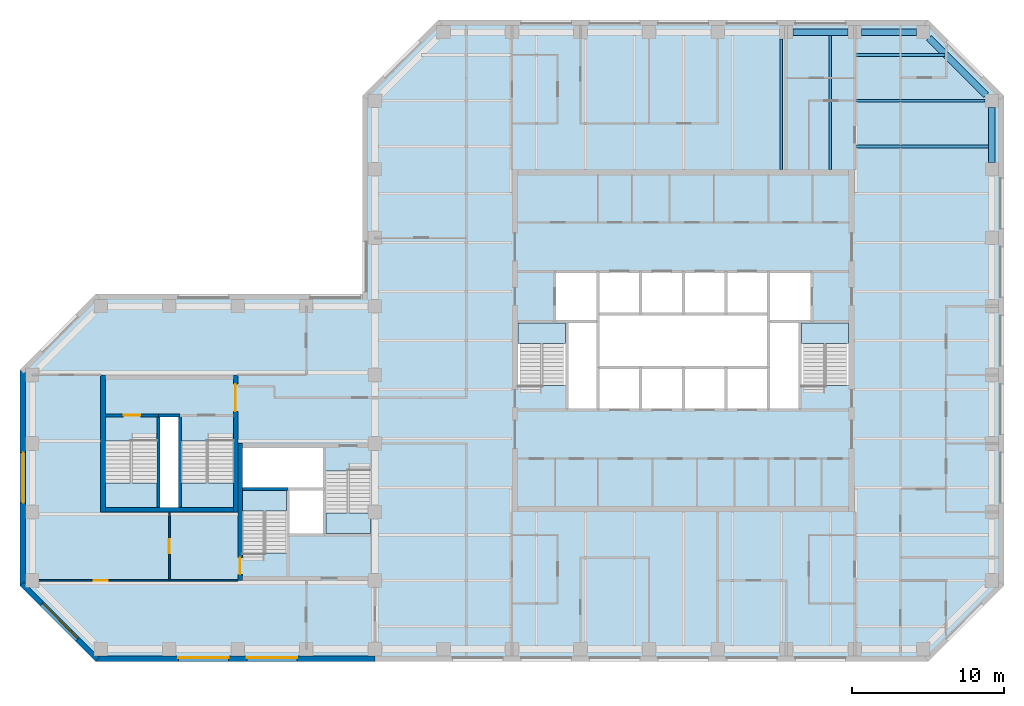
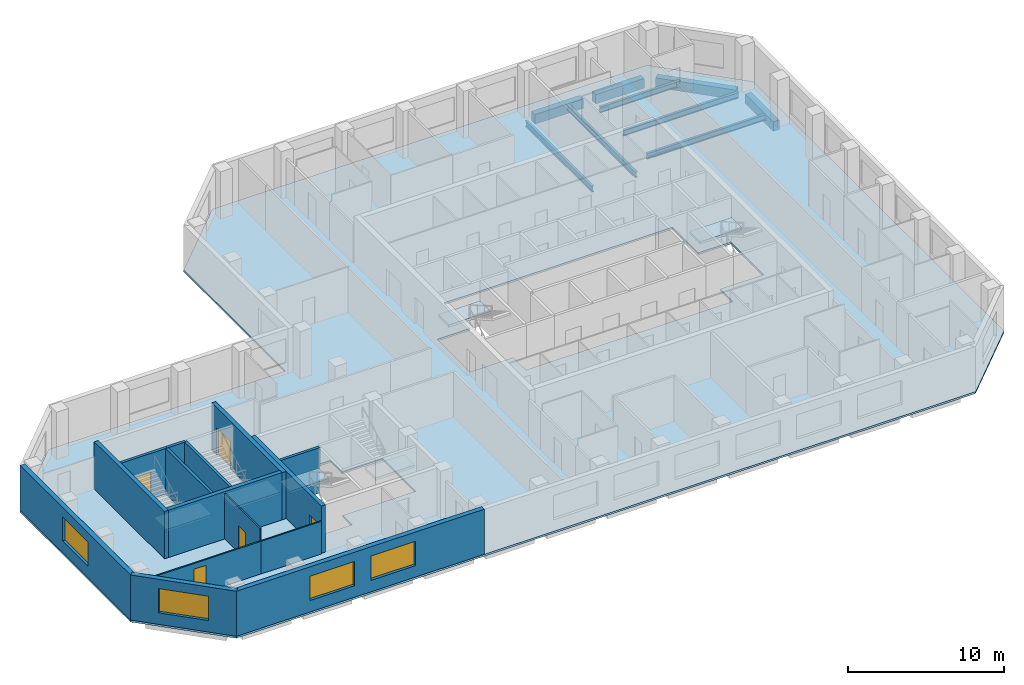
# One storey, part 2 of 9: 15 walls, 9 beams, 7 slabs, 5 doors, 4 windows, 9 openings, 6 elements without a shape of their own.
"""IFC4 building model written with IfcOpenShell, lengths in metres."""

from ifc_helpers import new_model, si_unit, direction, frame, frame_2d, origin, origin_2d, place, context, subcontext, project, spatial, polyline, rectangle, i_section, outline, extrude, material, layer, layer_set, constituent, constituent_set, material_profile, profile_set, type_object, element, fill, aggregate, save


model = new_model("IFC4")

# Units and contexts
model_context = context("Model", 3, precision=1e-05, world=origin(), true_north=direction((0.0, 1.0)))
body_context = subcontext(model_context, "Body", "Model", "MODEL_VIEW")
ifc_project = project(units=[si_unit("LENGTHUNIT", "METRE"), si_unit("AREAUNIT", "SQUARE_METRE"), si_unit("VOLUMEUNIT", "CUBIC_METRE"), si_unit("PLANEANGLEUNIT", "RADIAN"), si_unit("MASSUNIT", "GRAM", prefix="KILO")], contexts=[model_context])

# Site, building, storey
site_placement = place(None, origin())
site = spatial("IfcSite", under=ifc_project, at=site_placement, CompositionType="ELEMENT")
building_placement = place(site_placement, origin())
building = spatial("IfcBuilding", under=site, at=building_placement, Name="Quoin Convention Tower", CompositionType="ELEMENT")
storey_placement = place(building_placement, frame((0.0, 0.0, 162.5)))
storey = spatial("IfcBuildingStorey", under=building, at=storey_placement, Name="L42", CompositionType="ELEMENT", Elevation=162.5)

# Beams
ifc_material_1 = material(Name="Steel Grade 300", Category="steel")
ifc_material_profile_1 = material_profile(ifc_material_1, i_section(OverallWidth=0.18994140625, OverallDepth=0.4541015625, WebThickness=0.008544921875, FlangeThickness=0.0126953125, FilletRadius=0.011474609375, at=origin_2d()), Name="460UB67.1")
ifc_profile_set_1 = profile_set([ifc_material_profile_1], Name="Steel Grade 300")
beam_type_1 = type_object("IfcBeamType", Name="460UB67.1", PredefinedType="BEAM", material=ifc_profile_set_1)
beam_1_placement = place(storey_placement, frame((62.6787109375, 72.0, -0.376953125), z_axis=(0.0, 1.0, 0.0), x_axis=(-1.0, 0.0, 0.0)))
element("IfcBeam", 1, at=beam_1_placement, inside=storey, type_object=beam_type_1, Name="bm-L42-T1N5", PredefinedType="BEAM", context=body_context, shape_type="SweptSolid", body=[
    extrude(i_section(OverallWidth=0.18994140625, OverallDepth=0.4541015625, WebThickness=0.008544921875, FlangeThickness=0.0126953125, FilletRadius=0.011474609375, at=origin_2d()), origin(), (0.0, 0.0, 1.0), 8.550048828125),
])
beam_2_placement = place(storey_placement, frame((65.892822265625, 72.0, -0.376953125), z_axis=(0.0, 1.0, 0.0), x_axis=(-1.0, 0.0, 0.0)))
element("IfcBeam", 2, at=beam_2_placement, inside=storey, type_object=beam_type_1, Name="bm-L42-T1N6", PredefinedType="BEAM", context=body_context, shape_type="SweptSolid", body=[
    extrude(i_section(OverallWidth=0.18994140625, OverallDepth=0.4541015625, WebThickness=0.008544921875, FlangeThickness=0.0126953125, FilletRadius=0.011474609375, at=origin_2d()), origin(), (0.0, 0.0, 1.0), 8.77490234375),
])
beam_3_placement = place(storey_placement, frame((67.5, 79.5, -0.376953125), z_axis=(1.0, 0.0, 0.0), x_axis=(0.0, 1.0, 0.0)))
element("IfcBeam", 3, at=beam_3_placement, inside=storey, type_object=beam_type_1, Name="bm-L42-T1NE0", PredefinedType="BEAM", context=body_context, shape_type="SweptSolid", body=[
    extrude(i_section(OverallWidth=0.18994140625, OverallDepth=0.4541015625, WebThickness=0.008544921875, FlangeThickness=0.0126953125, FilletRadius=0.011474609375, at=origin_2d()), origin(), (0.0, 0.0, 1.0), 5.935791015625),
])
beam_4_placement = place(storey_placement, frame((67.5, 76.5, -0.376953125), z_axis=(1.0, 0.0, 0.0), x_axis=(0.0, 1.0, 0.0)))
element("IfcBeam", 4, at=beam_4_placement, inside=storey, type_object=beam_type_1, Name="bm-L42-T1NE1", PredefinedType="BEAM", context=body_context, shape_type="SweptSolid", body=[
    extrude(i_section(OverallWidth=0.18994140625, OverallDepth=0.4541015625, WebThickness=0.008544921875, FlangeThickness=0.0126953125, FilletRadius=0.011474609375, at=origin_2d()), origin(), (0.0, 0.0, 1.0), 8.550048828125),
])
beam_5_placement = place(storey_placement, frame((67.5, 73.5, -0.376953125), z_axis=(1.0, 0.0, 0.0), x_axis=(0.0, 1.0, 0.0)))
element("IfcBeam", 5, at=beam_5_placement, inside=storey, type_object=beam_type_1, Name="bm-L42-T1NE2", PredefinedType="BEAM", context=body_context, shape_type="SweptSolid", body=[
    extrude(i_section(OverallWidth=0.18994140625, OverallDepth=0.4541015625, WebThickness=0.008544921875, FlangeThickness=0.0126953125, FilletRadius=0.011474609375, at=origin_2d()), origin(), (0.0, 0.0, 1.0), 8.77490234375),
])
ifc_material_2 = material(Name="Concrete C50", Category="concrete")
ifc_material_profile_2 = material_profile(ifc_material_2, rectangle(XDim=0.449951171875, YDim=0.75, at=origin_2d()), Name="RC 450x750")
ifc_profile_set_2 = profile_set([ifc_material_profile_2], Name="Concrete C50")
beam_type_2 = type_object("IfcBeamType", Name="RC 450x750 C50", PredefinedType="SPANDREL", material=ifc_profile_set_2)
beam_6_placement = place(storey_placement, frame((76.5, 72.449951171875, -0.52490234375), z_axis=(0.0, 1.0, 0.0), x_axis=(-1.0, 0.0, 0.0)))
element("IfcBeam", 6, at=beam_6_placement, inside=storey, type_object=beam_type_2, Name="spd-L42-76500_72000-76500_76500", PredefinedType="SPANDREL", context=body_context, shape_type="SweptSolid", body=[
    extrude(rectangle(XDim=0.449951171875, YDim=0.75, at=origin_2d()), origin(), (0.0, 0.0, 1.0), 3.60009765625),
])
beam_7_placement = place(storey_placement, frame((76.135009765625, 76.864990234375, -0.52490234375), z_axis=(-0.707106781187, 0.707106781187, 0.0), x_axis=(-0.707106781187, -0.707106781187, 0.0)))
element("IfcBeam", 7, at=beam_7_placement, inside=storey, type_object=beam_type_2, Name="spd-L42-76500_76500-72000_81000", PredefinedType="SPANDREL", context=body_context, shape_type="SweptSolid", body=[
    extrude(rectangle(XDim=0.449951171875, YDim=0.75, at=origin_2d()), origin(), (0.0, 0.0, 1.0), 5.33154296875),
])
for number, where, z_axis, x_axis, name in (
    (8, (71.550048828125, 81.0, -0.52490234375), (-1.0, 0.0, 0.0), (0.0, -1.0, 0.0), "spd-L42-72000_81000-67500_81000"),
    (9, (67.050048828125, 81.0, -0.52490234375), (-1.0, 0.0, 0.0), (0.0, -1.0, 0.0), "spd-L42-67500_81000-63000_81000"),
):
    element("IfcBeam", number, at=place(storey_placement, frame(where, z_axis=z_axis, x_axis=x_axis)), inside=storey, type_object=beam_type_2, Name=name, PredefinedType="SPANDREL", context=body_context, shape_type="SweptSolid", body=[
        extrude(rectangle(XDim=0.449951171875, YDim=0.75, at=origin_2d()), origin(), (0.0, 0.0, 1.0), 3.60009765625),
    ])

# Slab
ifc_material_3 = material(Name="Concrete C40", Category="concrete")
ifc_layer_1 = layer(ifc_material_3, 0.14990234375)
ifc_layer_set_1 = layer_set([ifc_layer_1], Name="Concrete C40")
slab_type_1 = type_object("IfcSlabType", Name="COMPOSITE SLAB 150 C40", PredefinedType="FLOOR", material=ifc_layer_set_1)
slab_1_placement = place(storey_placement, frame((0.0, 0.0, -0.14990234375)))
element("IfcSlab", 10, at=slab_1_placement, inside=storey, type_object=slab_type_1, Name="slb-L42", PredefinedType="FLOOR", context=body_context, shape_type="SweptSolid", body=[
    extrude(outline(polyline([(17.668701171875, 39.699951171875), (12.699951171875, 44.668701171875), (12.699951171875, 58.831298828125), (17.668701171875, 63.800048828125), (35.199951171875, 63.800048828125), (35.199951171875, 76.831298828125), (40.168701171875, 81.800048828125), (72.331298828125, 81.800048828125), (77.300048828125, 76.831298828125), (77.300048828125, 44.668701171875), (72.331298828125, 39.699951171875), (17.668701171875, 39.699951171875)]), holes=[polyline([(27.300048828125, 51.0), (27.300048828125, 46.800537109375), (30.300048828125, 46.800537109375), (30.300048828125, 48.0), (32.699951171875, 48.0), (35.699951171875, 48.0), (35.699951171875, 52.199462890625), (32.699951171875, 52.199462890625), (32.699951171875, 53.699951171875), (27.300048828125, 53.699951171875), (27.300048828125, 51.0)]), polyline([(18.300048828125, 49.800048828125), (21.800048828125, 49.800048828125), (23.199951171875, 49.800048828125), (26.699951171875, 49.800048828125), (26.699951171875, 54.1494140625), (23.199951171875, 54.1494140625), (23.199951171875, 55.85009765625), (21.800048828125, 55.85009765625), (21.800048828125, 54.1494140625), (18.300048828125, 54.1494140625), (18.300048828125, 49.800048828125)]), polyline([(48.60009765625, 56.199951171875), (50.64990234375, 56.199951171875), (53.449951171875, 56.199951171875), (56.25, 56.199951171875), (59.050048828125, 56.199951171875), (61.85009765625, 56.199951171875), (63.89990234375, 56.199951171875), (63.89990234375, 57.800537109375), (67.10009765625, 57.800537109375), (67.10009765625, 62.0), (64.699951171875, 62.0), (64.699951171875, 65.300048828125), (61.85009765625, 65.300048828125), (59.050048828125, 65.300048828125), (56.25, 65.300048828125), (53.449951171875, 65.300048828125), (50.64990234375, 65.300048828125), (47.800048828125, 65.300048828125), (47.800048828125, 62.0), (45.39990234375, 62.0), (45.39990234375, 57.800537109375), (48.60009765625, 57.800537109375), (48.60009765625, 56.199951171875)])]), origin(), (0.0, 0.0, 1.0), 0.14990234375),
])

# Stair, slab
stair_type_1 = type_object("IfcStairType", Name="Exit stair two-flight 1350", PredefinedType="HALF_TURN_STAIR", material=ifc_material_3)
stair_1_placement = place(storey_placement, origin())
stair_1 = element("IfcStair", 11, at=stair_1_placement, inside=storey, type_object=stair_type_1, Name="SD1 L42", PredefinedType="HALF_TURN_STAIR")
ifc_layer_2 = layer(ifc_material_3, 0.199951171875)
ifc_layer_set_2 = layer_set([ifc_layer_2], Name="Concrete C40")
slab_type_2 = type_object("IfcSlabType", Name="Stair landing 200", PredefinedType="LANDING", material=ifc_layer_set_2)
slab_2_placement = place(storey_placement, frame((0.0, 0.0, 1.792236328125)))
slab_2 = element("IfcSlab", 12, at=slab_2_placement, type_object=slab_type_2, Name="ST1 landing 1", PredefinedType="LANDING", context=body_context, shape_type="SweptSolid", body=[
    extrude(outline(polyline([(45.39990234375, 60.550048828125), (48.5, 60.550048828125), (48.5, 61.89990234375), (45.39990234375, 61.89990234375), (45.39990234375, 60.550048828125)])), origin(), (0.0, 0.0, 1.0), 0.199951171875),
])
aggregate(stair_1, [slab_2])

stair_2_placement = place(storey_placement, origin())
stair_2 = element("IfcStair", 13, at=stair_2_placement, inside=storey, type_object=stair_type_1, Name="SD2 L42", PredefinedType="HALF_TURN_STAIR")
slab_3_placement = place(storey_placement, frame((0.0, 0.0, 1.792236328125)))
slab_3 = element("IfcSlab", 14, at=slab_3_placement, type_object=slab_type_2, Name="ST2 landing 1", PredefinedType="LANDING", context=body_context, shape_type="SweptSolid", body=[
    extrude(outline(polyline([(64.0, 60.550048828125), (67.10009765625, 60.550048828125), (67.10009765625, 61.89990234375), (64.0, 61.89990234375), (64.0, 60.550048828125)])), origin(), (0.0, 0.0, 1.0), 0.199951171875),
])
aggregate(stair_2, [slab_3])

stair_3_placement = place(storey_placement, origin())
stair_3 = element("IfcStair", 15, at=stair_3_placement, inside=storey, type_object=stair_type_1, Name="SD3 L42", PredefinedType="HALF_TURN_STAIR")
slab_4_placement = place(storey_placement, frame((0.0, 0.0, 1.792236328125)))
slab_4 = element("IfcSlab", 16, at=slab_4_placement, type_object=slab_type_2, Name="ST3 landing 1", PredefinedType="LANDING", context=body_context, shape_type="SweptSolid", body=[
    extrude(outline(polyline([(27.300048828125, 49.550048828125), (30.199951171875, 49.550048828125), (30.199951171875, 50.89990234375), (27.300048828125, 50.89990234375), (27.300048828125, 49.550048828125)])), origin(), (0.0, 0.0, 1.0), 0.199951171875),
])
aggregate(stair_3, [slab_4])

stair_4_placement = place(storey_placement, origin())
stair_4 = element("IfcStair", 17, at=stair_4_placement, inside=storey, type_object=stair_type_1, Name="SD4 L42", PredefinedType="HALF_TURN_STAIR")
slab_5_placement = place(storey_placement, frame((0.0, 0.0, 1.792236328125)))
slab_5 = element("IfcSlab", 18, at=slab_5_placement, type_object=slab_type_2, Name="ST4 landing 1", PredefinedType="LANDING", context=body_context, shape_type="SweptSolid", body=[
    extrude(outline(polyline([(35.699951171875, 49.449951171875), (32.800048828125, 49.449951171875), (32.800048828125, 48.10009765625), (35.699951171875, 48.10009765625), (35.699951171875, 49.449951171875)])), origin(), (0.0, 0.0, 1.0), 0.199951171875),
])
aggregate(stair_4, [slab_5])

stair_type_2 = type_object("IfcStairType", Name="Exit stair two-flight 1600", PredefinedType="HALF_TURN_STAIR", material=ifc_material_3)
stair_5_placement = place(storey_placement, origin())
stair_5 = element("IfcStair", 19, at=stair_5_placement, inside=storey, type_object=stair_type_2, Name="SD11 L42", PredefinedType="HALF_TURN_STAIR")
slab_6_placement = place(storey_placement, frame((0.0, 0.0, 1.792236328125)))
slab_6 = element("IfcSlab", 20, at=slab_6_placement, type_object=slab_type_2, Name="ST11 landing 1", PredefinedType="LANDING", context=body_context, shape_type="SweptSolid", body=[
    extrude(outline(polyline([(21.699951171875, 51.39990234375), (18.300048828125, 51.39990234375), (18.300048828125, 49.800048828125), (21.699951171875, 49.800048828125), (21.699951171875, 51.39990234375)])), origin(), (0.0, 0.0, 1.0), 0.199951171875),
])
aggregate(stair_5, [slab_6])

stair_6_placement = place(storey_placement, origin())
stair_6 = element("IfcStair", 21, at=stair_6_placement, inside=storey, type_object=stair_type_2, Name="SD12 L42", PredefinedType="HALF_TURN_STAIR")
slab_7_placement = place(storey_placement, frame((0.0, 0.0, 1.792236328125)))
slab_7 = element("IfcSlab", 22, at=slab_7_placement, type_object=slab_type_2, Name="ST12 landing 1", PredefinedType="LANDING", context=body_context, shape_type="SweptSolid", body=[
    extrude(outline(polyline([(26.699951171875, 51.39990234375), (23.300048828125, 51.39990234375), (23.300048828125, 49.800048828125), (26.699951171875, 49.800048828125), (26.699951171875, 51.39990234375)])), origin(), (0.0, 0.0, 1.0), 0.199951171875),
])
aggregate(stair_6, [slab_7])

# Wall, opening, window
ifc_material_4 = material(Name="Brick masonry", Category="masonry")
ifc_layer_3 = layer(ifc_material_4, 0.35009765625)
ifc_layer_set_3 = layer_set([ifc_layer_3], Name="Brick masonry")
wall_type_1 = type_object("IfcWallType", Name="Brick facade wall", PredefinedType="STANDARD", material=ifc_layer_set_3)
wall_1_placement = place(storey_placement, frame((12.875, 58.831298828125, 0.0), z_axis=(0.0, 0.0, 1.0), x_axis=(0.0, -1.0, 0.0)))
wall_1 = element("IfcWall", 23, at=wall_1_placement, inside=storey, type_object=wall_type_1, Name="fw-L42-13500_58500", PredefinedType="STANDARD", context=body_context, shape_type="SweptSolid", body=[
    extrude(rectangle(XDim=14.16259765625, YDim=0.35009765625, at=frame_2d((7.081298828125, 0.0))), origin(), (0.0, 0.0, 1.0), 3.52490234375),
])
opening_1_placement = place(wall_1_placement, frame((5.431396484375, 0.0, 0.89990234375)))
opening_1 = element("IfcOpeningElement", 24, at=opening_1_placement, cuts=wall_1, Name="Opening W-02", PredefinedType="OPENING", context=body_context, shape_type="SweptSolid", body=[
    extrude(rectangle(XDim=3.300048828125, YDim=1.89990234375, at=frame_2d((1.64990234375, 0.949951171875))), frame((0.0, 0.18505859375, 0.0), z_axis=(0.0, -1.0, 0.0), x_axis=(1.0, 0.0, 0.0)), (0.0, 0.0, 1.0), 0.3701171875),
])
ifc_material_5 = material(Name="Aluminium", Category="aluminium")
ifc_constituent_1 = constituent(ifc_material_5, Name="Frame")
ifc_material_6 = material(Name="Insulated glass", Category="glass")
ifc_constituent_2 = constituent(ifc_material_6, Name="Glazing")
ifc_constituent_set = constituent_set(constituents=[ifc_constituent_1, ifc_constituent_2], Name="Aluminium")
window_type = type_object("IfcWindowType", Name="Office window", PartitioningType="DOUBLE_PANEL_VERTICAL", PredefinedType="WINDOW", material=ifc_constituent_set)
window_1_placement = place(opening_1_placement, origin())
window_1 = element("IfcWindow", 25, at=window_1_placement, inside=storey, type_object=window_type, Name="win-L42-12875_51750", OverallHeight=1.89990234375, OverallWidth=3.300048828125, PartitioningType="SINGLE_PANEL", PredefinedType="WINDOW", context=body_context, shape_type="SweptSolid", body=[
    extrude(rectangle(XDim=3.300048828125, YDim=1.89990234375, at=frame_2d((1.64990234375, 0.949951171875))), frame((0.0, 0.0849609375, 0.0), z_axis=(0.0, -1.0, 0.0), x_axis=(1.0, 0.0, 0.0)), (0.0, 0.0, 1.0), 0.06005859375),
])
fill(opening_1, window_1)

wall_2_placement = place(storey_placement, frame((12.82373046875, 44.79248046875, 0.0), z_axis=(0.0, 0.0, 1.0), x_axis=(0.707106781187, -0.707106781187, 0.0)))
wall_2 = element("IfcWall", 26, at=wall_2_placement, inside=storey, type_object=wall_type_1, Name="fw-L42-13500_45000", PredefinedType="STANDARD", context=body_context, shape_type="SweptSolid", body=[
    extrude(rectangle(XDim=7.02685546875, YDim=0.35009765625, at=frame_2d((3.513427734375, 0.0))), origin(), (0.0, 0.0, 1.0), 3.52490234375),
])
opening_2_placement = place(wall_2_placement, frame((1.86328125, 0.0, 0.89990234375)))
opening_2 = element("IfcOpeningElement", 27, at=opening_2_placement, cuts=wall_2, Name="Opening W-02", PredefinedType="OPENING", context=body_context, shape_type="SweptSolid", body=[
    extrude(rectangle(XDim=3.300048828125, YDim=1.89990234375, at=frame_2d((1.64990234375, 0.949951171875))), frame((0.0, 0.18505859375, 0.0), z_axis=(0.0, -1.0, 0.0), x_axis=(1.0, 0.0, 0.0)), (0.0, 0.0, 1.0), 0.3701171875),
])
window_2_placement = place(opening_2_placement, origin())
window_2 = element("IfcWindow", 28, at=window_2_placement, inside=storey, type_object=window_type, Name="win-L42-15308_42308", OverallHeight=1.89990234375, OverallWidth=3.300048828125, PartitioningType="SINGLE_PANEL", PredefinedType="WINDOW", context=body_context, shape_type="SweptSolid", body=[
    extrude(rectangle(XDim=3.300048828125, YDim=1.89990234375, at=frame_2d((1.64990234375, 0.949951171875))), frame((0.0, 0.0849609375, 0.0), z_axis=(0.0, -1.0, 0.0), x_axis=(1.0, 0.0, 0.0)), (0.0, 0.0, 1.0), 0.06005859375),
])
fill(opening_2, window_2)

# Wall, openings, windows
wall_3_placement = place(storey_placement, frame((17.668701171875, 39.875, 0.0), z_axis=(0.0, 0.0, 1.0), x_axis=(1.0, 0.0, 0.0)))
wall_3 = element("IfcWall", 29, at=wall_3_placement, inside=storey, type_object=wall_type_1, Name="fw-L42-18000_40500", PredefinedType="STANDARD", context=body_context, shape_type="SweptSolid", body=[
    extrude(rectangle(XDim=18.331298828125, YDim=0.35009765625, at=frame_2d((9.16552734375, 0.0))), origin(), (0.0, 0.0, 1.0), 3.52490234375),
])
opening_3_placement = place(wall_3_placement, frame((5.431396484375, 0.0, 0.89990234375)))
opening_3 = element("IfcOpeningElement", 30, at=opening_3_placement, cuts=wall_3, Name="Opening W-02", PredefinedType="OPENING", context=body_context, shape_type="SweptSolid", body=[
    extrude(rectangle(XDim=3.300048828125, YDim=1.89990234375, at=frame_2d((1.64990234375, 0.949951171875))), frame((0.0, 0.18505859375, 0.0), z_axis=(0.0, -1.0, 0.0), x_axis=(1.0, 0.0, 0.0)), (0.0, 0.0, 1.0), 0.3701171875),
])
opening_4_placement = place(wall_3_placement, frame((9.931396484375, 0.0, 0.89990234375)))
opening_4 = element("IfcOpeningElement", 31, at=opening_4_placement, cuts=wall_3, Name="Opening W-02", PredefinedType="OPENING", context=body_context, shape_type="SweptSolid", body=[
    extrude(rectangle(XDim=3.300048828125, YDim=1.89990234375, at=frame_2d((1.64990234375, 0.949951171875))), frame((0.0, 0.18505859375, 0.0), z_axis=(0.0, -1.0, 0.0), x_axis=(1.0, 0.0, 0.0)), (0.0, 0.0, 1.0), 0.3701171875),
])
window_3_placement = place(opening_3_placement, origin())
window_3 = element("IfcWindow", 32, at=window_3_placement, inside=storey, type_object=window_type, Name="win-L42-24750_39875", OverallHeight=1.89990234375, OverallWidth=3.300048828125, PartitioningType="SINGLE_PANEL", PredefinedType="WINDOW", context=body_context, shape_type="SweptSolid", body=[
    extrude(rectangle(XDim=3.300048828125, YDim=1.89990234375, at=frame_2d((1.64990234375, 0.949951171875))), frame((0.0, 0.0849609375, 0.0), z_axis=(0.0, -1.0, 0.0), x_axis=(1.0, 0.0, 0.0)), (0.0, 0.0, 1.0), 0.06005859375),
])
fill(opening_3, window_3)
window_4_placement = place(opening_4_placement, origin())
window_4 = element("IfcWindow", 33, at=window_4_placement, inside=storey, type_object=window_type, Name="win-L42-29250_39875", OverallHeight=1.89990234375, OverallWidth=3.300048828125, PartitioningType="SINGLE_PANEL", PredefinedType="WINDOW", context=body_context, shape_type="SweptSolid", body=[
    extrude(rectangle(XDim=3.300048828125, YDim=1.89990234375, at=frame_2d((1.64990234375, 0.949951171875))), frame((0.0, 0.0849609375, 0.0), z_axis=(0.0, -1.0, 0.0), x_axis=(1.0, 0.0, 0.0)), (0.0, 0.0, 1.0), 0.06005859375),
])
fill(opening_4, window_4)

# Walls
ifc_layer_4 = layer(ifc_material_2, 0.199951171875)
ifc_layer_set_4 = layer_set([ifc_layer_4], Name="Concrete C50")
wall_type_2 = type_object("IfcWallType", Name="Core shaft wall", PredefinedType="SOLIDWALL", material=ifc_layer_set_4)
wall_4_placement = place(storey_placement, frame((27.300048828125, 51.0, 0.0), z_axis=(0.0, 0.0, 1.0), x_axis=(1.0, 0.0, 0.0)))
element("IfcWall", 34, at=wall_4_placement, inside=storey, type_object=wall_type_2, Name="cr-P2-L42-h6000_300", PredefinedType="SOLIDWALL", context=body_context, shape_type="SweptSolid", body=[
    extrude(rectangle(XDim=3.0, YDim=0.199951171875, at=frame_2d((1.5, 0.0))), origin(), (0.0, 0.0, 1.0), 3.550048828125),
])
wall_5_placement = place(storey_placement, frame((21.800048828125, 55.85009765625, 0.0), z_axis=(0.0, 0.0, 1.0), x_axis=(1.0, 0.0, 0.0)))
element("IfcWall", 35, at=wall_5_placement, inside=storey, type_object=wall_type_2, Name="cr-P6-L42-h6350_3800", PredefinedType="SOLIDWALL", context=body_context, shape_type="SweptSolid", body=[
    extrude(rectangle(XDim=1.39990234375, YDim=0.199951171875, at=frame_2d((0.699951171875, 0.0))), origin(), (0.0, 0.0, 1.0), 3.550048828125),
])

# Wall, opening, door
wall_6_placement = place(storey_placement, frame((18.300048828125, 55.85009765625, 0.0), z_axis=(0.0, 0.0, 1.0), x_axis=(1.0, 0.0, 0.0)))
wall_6 = element("IfcWall", 36, at=wall_6_placement, inside=storey, type_object=wall_type_2, Name="cr-P6-L42-h6350_300", PredefinedType="SOLIDWALL", context=body_context, shape_type="SweptSolid", body=[
    extrude(rectangle(XDim=3.5, YDim=0.199951171875, at=frame_2d((1.75, 0.0))), origin(), (0.0, 0.0, 1.0), 3.550048828125),
])
opening_5_placement = place(wall_6_placement, frame((1.199951171875, 0.0, 0.0)))
opening_5 = element("IfcOpeningElement", 37, at=opening_5_placement, cuts=wall_6, Name="Opening SD11", PredefinedType="OPENING", context=body_context, shape_type="SweptSolid", body=[
    extrude(rectangle(XDim=1.10009765625, YDim=2.10009765625, at=frame_2d((0.550048828125, 1.050048828125))), frame((0.0, 0.10986328125, 0.0), z_axis=(0.0, -1.0, 0.0), x_axis=(1.0, 0.0, 0.0)), (0.0, 0.0, 1.0), 0.219970703125),
])
ifc_material_7 = material(Name="Steel door leaf", Category="steel")
door_type_1 = type_object("IfcDoorType", Name="Stair door 1100 x 2100", OperationType="SINGLE_SWING_RIGHT", PredefinedType="DOOR", material=ifc_material_7)
door_1_placement = place(opening_5_placement, origin())
door_1 = element("IfcDoor", 38, at=door_1_placement, inside=storey, type_object=door_type_1, Name="cd-P6-L42-SA-R2-SD11", OperationType="SINGLE_SWING_RIGHT", OverallHeight=2.10009765625, OverallWidth=1.10009765625, PredefinedType="DOOR", context=body_context, shape_type="SweptSolid", body=[
    extrude(rectangle(XDim=1.10009765625, YDim=2.10009765625, at=frame_2d((0.550048828125, 1.050048828125))), frame((0.0, 0.02490234375, 0.0), z_axis=(0.0, -1.0, 0.0), x_axis=(1.0, 0.0, 0.0)), (0.0, 0.0, 1.0), 0.050048828125),
])
fill(opening_5, door_1)

# Walls
for number, where, z_axis, x_axis, name in (
    (39, (21.800048828125, 49.800048828125, 0.0), (0.0, 0.0, 1.0), (0.0, 1.0, 0.0), "cr-P6-L42-v3800_300"),
    (40, (23.199951171875, 49.800048828125, 0.0), (0.0, 0.0, 1.0), (0.0, 1.0, 0.0), "cr-P6-L42-v5200_300"),
):
    element("IfcWall", number, at=place(storey_placement, frame(where, z_axis=z_axis, x_axis=x_axis)), inside=storey, type_object=wall_type_2, Name=name, PredefinedType="SOLIDWALL", context=body_context, shape_type="SweptSolid", body=[
        extrude(rectangle(XDim=6.050048828125, YDim=0.199951171875, at=frame_2d((3.02490234375, 0.0))), origin(), (0.0, 0.0, 1.0), 3.550048828125),
    ])

# Wall, opening, door
ifc_layer_5 = layer(ifc_material_2, 0.300048828125)
ifc_layer_set_5 = layer_set([ifc_layer_5], Name="Concrete C50")
wall_type_3 = type_object("IfcWallType", Name="RC CORE WALL 300 C50", PredefinedType="SHEAR", material=ifc_layer_set_5)
wall_7_placement = place(storey_placement, frame((27.14990234375, 45.0, 0.0), z_axis=(0.0, 0.0, 1.0), x_axis=(0.0, 1.0, 0.0)))
wall_7 = element("IfcWall", 41, at=wall_7_placement, inside=storey, type_object=wall_type_3, Name="cwl-P2-L42-W", PredefinedType="SHEAR", context=body_context, shape_type="SweptSolid", body=[
    extrude(rectangle(XDim=9.0, YDim=0.300048828125, at=frame_2d((4.5, 0.0))), origin(), (0.0, 0.0, 1.0), 3.699951171875),
])
opening_6_placement = place(wall_7_placement, frame((0.39990234375, 0.0, 0.0)))
opening_6 = element("IfcOpeningElement", 42, at=opening_6_placement, cuts=wall_7, Name="Opening SD3", PredefinedType="OPENING", context=body_context, shape_type="SweptSolid", body=[
    extrude(rectangle(XDim=1.10009765625, YDim=2.10009765625, at=frame_2d((0.550048828125, 1.050048828125))), frame((0.0, 0.159912109375, 0.0), z_axis=(0.0, -1.0, 0.0), x_axis=(1.0, 0.0, 0.0)), (0.0, 0.0, 1.0), 0.320068359375),
])
door_2_placement = place(opening_6_placement, frame((1.10009765625, 0.0, 0.0), z_axis=(0.0, 0.0, 1.0), x_axis=(-1.0, 0.0, 0.0)))
door_2 = element("IfcDoor", 43, at=door_2_placement, inside=storey, type_object=door_type_1, Name="cd-P2-L42-SA-W", OperationType="SINGLE_SWING_RIGHT", OverallHeight=2.10009765625, OverallWidth=1.10009765625, PredefinedType="DOOR", context=body_context, shape_type="SweptSolid", body=[
    extrude(rectangle(XDim=1.10009765625, YDim=2.10009765625, at=frame_2d((0.550048828125, 1.050048828125))), frame((0.0, 0.02490234375, 0.0), z_axis=(0.0, -1.0, 0.0), x_axis=(1.0, 0.0, 0.0)), (0.0, 0.0, 1.0), 0.050048828125),
])
fill(opening_6, door_2)

# Walls
wall_8_placement = place(storey_placement, frame((18.300048828125, 49.64990234375, 0.0), z_axis=(0.0, 0.0, 1.0), x_axis=(1.0, 0.0, 0.0)))
element("IfcWall", 44, at=wall_8_placement, inside=storey, type_object=wall_type_3, Name="cwl-P6-L42-S", PredefinedType="SHEAR", context=body_context, shape_type="SweptSolid", body=[
    extrude(rectangle(XDim=8.39990234375, YDim=0.300048828125, at=frame_2d((4.199951171875, 0.0))), origin(), (0.0, 0.0, 1.0), 3.699951171875),
])
wall_9_placement = place(storey_placement, frame((18.14990234375, 49.5, 0.0), z_axis=(0.0, 0.0, 1.0), x_axis=(0.0, 1.0, 0.0)))
element("IfcWall", 45, at=wall_9_placement, inside=storey, type_object=wall_type_3, Name="cwl-P6-L42-W", PredefinedType="SHEAR", context=body_context, shape_type="SweptSolid", body=[
    extrude(rectangle(XDim=9.0, YDim=0.300048828125, at=frame_2d((4.5, 0.0))), origin(), (0.0, 0.0, 1.0), 3.699951171875),
])

# Wall, opening, door
wall_10_placement = place(storey_placement, frame((26.85009765625, 49.5, 0.0), z_axis=(0.0, 0.0, 1.0), x_axis=(0.0, 1.0, 0.0)))
wall_10 = element("IfcWall", 46, at=wall_10_placement, inside=storey, type_object=wall_type_3, Name="cwl-P6-L42-E", PredefinedType="SHEAR", context=body_context, shape_type="SweptSolid", body=[
    extrude(rectangle(XDim=9.0, YDim=0.300048828125, at=frame_2d((4.5, 0.0))), origin(), (0.0, 0.0, 1.0), 3.699951171875),
])
opening_7_placement = place(wall_10_placement, frame((6.60009765625, 0.0, 0.0)))
opening_7 = element("IfcOpeningElement", 47, at=opening_7_placement, cuts=wall_10, Name="Opening DCV2-44", PredefinedType="OPENING", context=body_context, shape_type="SweptSolid", body=[
    extrude(rectangle(XDim=1.800048828125, YDim=2.10009765625, at=frame_2d((0.89990234375, 1.050048828125))), frame((0.0, 0.159912109375, 0.0), z_axis=(0.0, -1.0, 0.0), x_axis=(1.0, 0.0, 0.0)), (0.0, 0.0, 1.0), 0.320068359375),
])
door_type_2 = type_object("IfcDoorType", Name="Goods lobby door 1800 x 2100", OperationType="SINGLE_SWING_LEFT", PredefinedType="DOOR", material=ifc_material_7)
door_3_placement = place(opening_7_placement, origin())
door_3 = element("IfcDoor", 48, at=door_3_placement, inside=storey, type_object=door_type_2, Name="cd-P6-L42-R2-E", OperationType="SINGLE_SWING_LEFT", OverallHeight=2.10009765625, OverallWidth=1.800048828125, PredefinedType="DOOR", context=body_context, shape_type="SweptSolid", body=[
    extrude(rectangle(XDim=1.800048828125, YDim=2.10009765625, at=frame_2d((0.89990234375, 1.050048828125))), frame((0.0, 0.02490234375, 0.0), z_axis=(0.0, -1.0, 0.0), x_axis=(1.0, 0.0, 0.0)), (0.0, 0.0, 1.0), 0.050048828125),
])
fill(opening_7, door_3)

ifc_material_8 = material(Name="Plasterboard")
ifc_layer_6 = layer(ifc_material_8, 0.012451171875, Name="Finish")
ifc_material_9 = material(Name="Steel stud framing", Category="steel")
ifc_layer_7 = layer(ifc_material_9, 0.074951171875, Name="Structure")
ifc_layer_8 = layer(ifc_material_8, 0.012451171875, Name="Finish")
ifc_layer_set_6 = layer_set([ifc_layer_6, ifc_layer_7, ifc_layer_8], Name="Steel stud framing")
wall_type_4 = type_object("IfcWallType", Name="Stud partition 100", PredefinedType="PARTITIONING", material=ifc_layer_set_6)
wall_11_placement = place(storey_placement, frame((22.5, 49.5, 0.0), z_axis=(0.0, 0.0, 1.0), x_axis=(0.0, -1.0, 0.0)))
wall_11 = element("IfcWall", 49, at=wall_11_placement, inside=storey, type_object=wall_type_4, Name="pw-L42-w06", PredefinedType="PARTITIONING", context=body_context, shape_type="SweptSolid", body=[
    extrude(rectangle(XDim=4.5, YDim=0.10009765625, at=frame_2d((2.25, 0.0))), origin(), (0.0, 0.0, 1.0), 3.550048828125),
])
opening_8_placement = place(wall_11_placement, frame((1.800048828125, 0.0, 0.0)))
opening_8 = element("IfcOpeningElement", 50, at=opening_8_placement, cuts=wall_11, Name="Opening DOH3-28", PredefinedType="OPENING", context=body_context, shape_type="SweptSolid", body=[
    extrude(rectangle(XDim=0.89990234375, YDim=2.10009765625, at=frame_2d((0.449951171875, 1.050048828125))), frame((0.0, 0.06005859375, 0.0), z_axis=(0.0, -1.0, 0.0), x_axis=(1.0, 0.0, 0.0)), (0.0, 0.0, 1.0), 0.1201171875),
])
door_type_3 = type_object("IfcDoorType", Name="Office door 900 x 2100", OperationType="SINGLE_SWING_RIGHT", PredefinedType="DOOR", material=ifc_material_7)
door_4_placement = place(opening_8_placement, frame((0.89990234375, 0.0, 0.0), z_axis=(0.0, 0.0, 1.0), x_axis=(-1.0, 0.0, 0.0)))
door_4 = element("IfcDoor", 51, at=door_4_placement, inside=storey, type_object=door_type_3, Name="dr-L42-w06", OperationType="SINGLE_SWING_LEFT", OverallHeight=2.10009765625, OverallWidth=0.89990234375, PredefinedType="DOOR", context=body_context, shape_type="SweptSolid", body=[
    extrude(rectangle(XDim=0.89990234375, YDim=2.10009765625, at=frame_2d((0.449951171875, 1.050048828125))), frame((0.0, 0.02490234375, 0.0), z_axis=(0.0, -1.0, 0.0), x_axis=(1.0, 0.0, 0.0)), (0.0, 0.0, 1.0), 0.050048828125),
])
fill(opening_8, door_4)

ifc_layer_9 = layer(ifc_material_8, 0.012451171875, Name="Finish")
ifc_layer_10 = layer(ifc_material_9, 0.074951171875, Name="Structure")
ifc_layer_11 = layer(ifc_material_8, 0.012451171875, Name="Finish")
ifc_layer_set_7 = layer_set([ifc_layer_9, ifc_layer_10, ifc_layer_11], Name="Steel stud framing")
wall_type_5 = type_object("IfcWallType", Name="Stud partition 100 under beam 1000", PredefinedType="PARTITIONING", material=ifc_layer_set_7)
wall_12_placement = place(storey_placement, frame((22.5, 45.0, 0.0), z_axis=(0.0, 0.0, 1.0), x_axis=(-1.0, 0.0, 0.0)))
wall_12 = element("IfcWall", 52, at=wall_12_placement, inside=storey, type_object=wall_type_5, Name="pw-L42-w05", PredefinedType="PARTITIONING", context=body_context, shape_type="SweptSolid", body=[
    extrude(rectangle(XDim=9.0, YDim=0.10009765625, at=frame_2d((4.5, 0.0))), origin(), (0.0, 0.0, 1.0), 2.550048828125),
])
opening_9_placement = place(wall_12_placement, frame((4.050048828125, 0.0, 0.0)))
opening_9 = element("IfcOpeningElement", 53, at=opening_9_placement, cuts=wall_12, Name="Opening DOH3-27", PredefinedType="OPENING", context=body_context, shape_type="SweptSolid", body=[
    extrude(rectangle(XDim=0.89990234375, YDim=2.10009765625, at=frame_2d((0.449951171875, 1.050048828125))), frame((0.0, 0.06005859375, 0.0), z_axis=(0.0, -1.0, 0.0), x_axis=(1.0, 0.0, 0.0)), (0.0, 0.0, 1.0), 0.1201171875),
])
door_5_placement = place(opening_9_placement, frame((0.89990234375, 0.0, 0.0), z_axis=(0.0, 0.0, 1.0), x_axis=(-1.0, 0.0, 0.0)))
door_5 = element("IfcDoor", 54, at=door_5_placement, inside=storey, type_object=door_type_3, Name="dr-L42-w05", OperationType="SINGLE_SWING_RIGHT", OverallHeight=2.10009765625, OverallWidth=0.89990234375, PredefinedType="DOOR", context=body_context, shape_type="SweptSolid", body=[
    extrude(rectangle(XDim=0.89990234375, YDim=2.10009765625, at=frame_2d((0.449951171875, 1.050048828125))), frame((0.0, 0.02490234375, 0.0), z_axis=(0.0, -1.0, 0.0), x_axis=(1.0, 0.0, 0.0)), (0.0, 0.0, 1.0), 0.050048828125),
])
fill(opening_9, door_5)

# Wall
wall_13_placement = place(storey_placement, frame((22.5, 45.0, 0.0), z_axis=(0.0, 0.0, 1.0), x_axis=(1.0, 0.0, 0.0)))
element("IfcWall", 55, at=wall_13_placement, inside=storey, type_object=wall_type_5, Name="pw-L42-w07", PredefinedType="PARTITIONING", context=body_context, shape_type="SweptSolid", body=[
    extrude(rectangle(XDim=4.5, YDim=0.10009765625, at=frame_2d((2.25, 0.0))), origin(), (0.0, 0.0, 1.0), 2.550048828125),
])

save(model, "model.ifc")
